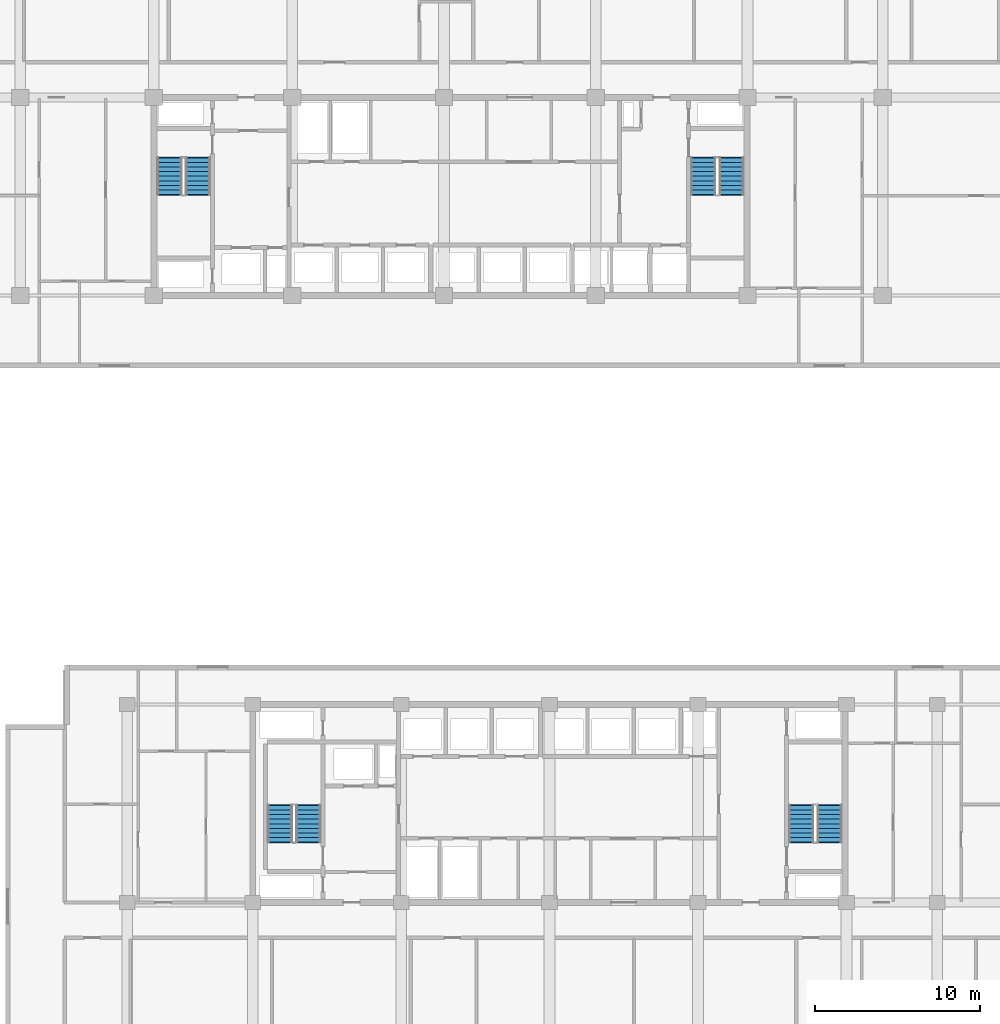
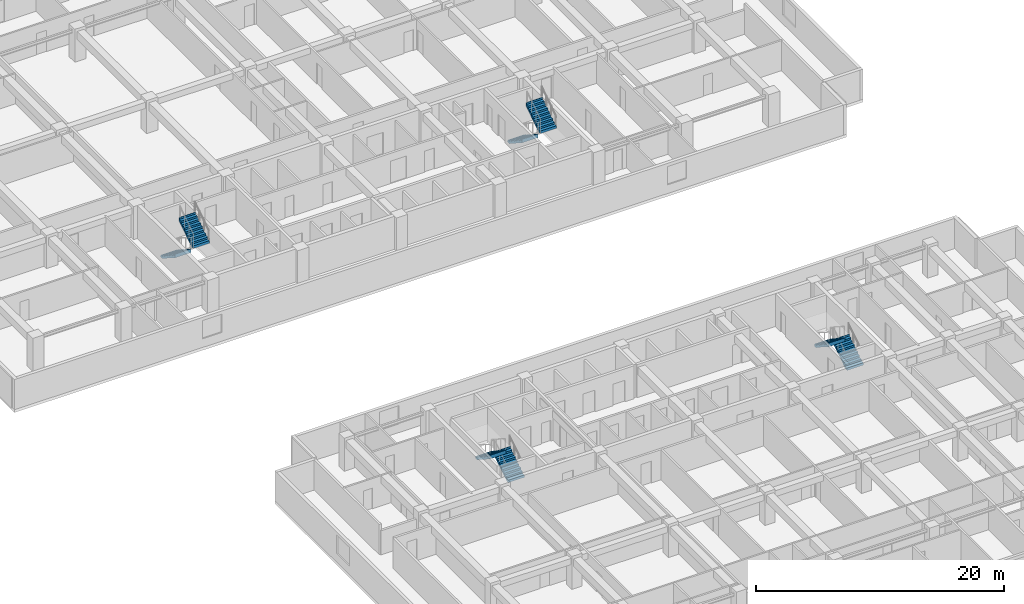
# One storey, part 18 of 23: 8 stair flights, 4 elements without a shape of their own.
"""IFC4 building model written with IfcOpenShell, lengths in metres."""

from ifc_helpers import new_model, si_unit, direction, frame, origin, place, context, subcontext, project, spatial, polyline, outline, extrude, material, type_object, element, aggregate, save


model = new_model("IFC4")

# Units and contexts
model_context = context("Model", 3, precision=1e-05, world=origin(), true_north=direction((0.0, 1.0)))
body_context = subcontext(model_context, "Body", "Model", "MODEL_VIEW")
ifc_project = project(units=[si_unit("LENGTHUNIT", "METRE"), si_unit("AREAUNIT", "SQUARE_METRE"), si_unit("VOLUMEUNIT", "CUBIC_METRE"), si_unit("PLANEANGLEUNIT", "RADIAN"), si_unit("MASSUNIT", "GRAM", prefix="KILO")], contexts=[model_context])

# Site, building, storey
site_placement = place(None, origin())
site = spatial("IfcSite", under=ifc_project, at=site_placement, CompositionType="ELEMENT")
building_placement = place(site_placement, origin())
building = spatial("IfcBuilding", under=site, at=building_placement, Name="Korimba Cascade Residences", CompositionType="ELEMENT")
storey_placement = place(building_placement, frame((0.0, 0.0, 56.5)))
storey = spatial("IfcBuildingStorey", under=building, at=storey_placement, Name="L15", CompositionType="ELEMENT", Elevation=56.5)

# Stair, stair flights
ifc_material = material(Name="Concrete C50/60", Category="concrete")
stair_type_1 = type_object("IfcStairType", Name="STR-W1-18R-1806", PredefinedType="HALF_TURN_STAIR", material=ifc_material)
stair_1_placement = place(storey_placement, origin())
stair_1 = element("IfcStair", 1, at=stair_1_placement, inside=storey, type_object=stair_type_1, Name="L15 Tower 1 West Fire Stair ST-W1", PredefinedType="HALF_TURN_STAIR")
stair_flight_type = type_object("IfcStairFlightType", Name="STF-DL-18R-1806-1520", PredefinedType="STRAIGHT", material=ifc_material)
stair_flight_1_placement = place(storey_placement, frame((77.06005859375, 63.550048828125, 0.0), z_axis=(0.0, 0.0, 1.0), x_axis=(0.0, -1.0, 0.0)))
stair_flight_1 = element("IfcStairFlight", 2, at=stair_flight_1_placement, type_object=stair_flight_type, Name="ST-W1 flight 1", NumberOfRisers=9, NumberOfTreads=8, PredefinedType="STRAIGHT", RiserHeight=0.180555556, TreadLength=0.28, context=body_context, shape_type="SweptSolid", body=[
    extrude(outline(polyline([(-0.0380859375, 0.0), (0.0, 0.1806640625), (0.280029296875, 0.1806640625), (0.280029296875, 0.361083984375), (0.56005859375, 0.361083984375), (0.56005859375, 0.541748046875), (0.840087890625, 0.541748046875), (0.840087890625, 0.72216796875), (1.1201171875, 0.72216796875), (1.1201171875, 0.90283203125), (1.39990234375, 0.90283203125), (1.39990234375, 1.083251953125), (1.679931640625, 1.083251953125), (1.679931640625, 1.263916015625), (1.9599609375, 1.263916015625), (1.9599609375, 1.4443359375), (2.239990234375, 1.4443359375), (2.239990234375, 1.625), (2.278076171875, 1.625), (2.278076171875, 1.26611328125), (0.276611328125, 0.0), (0.276611328125, -0.0380859375), (-0.0380859375, -0.0380859375), (-0.0380859375, 0.0)])), frame((0.0, 0.760009765625, 0.0), z_axis=(0.0, -1.0, 0.0), x_axis=(1.0, 0.0, 0.0)), (0.0, 0.0, 1.0), 1.52001953125),
])
stair_flight_2_placement = place(storey_placement, frame((78.780029296875, 61.31005859375, 1.625), z_axis=(0.0, 0.0, 1.0), x_axis=(0.0, 1.0, 0.0)))
stair_flight_2 = element("IfcStairFlight", 3, at=stair_flight_2_placement, type_object=stair_flight_type, Name="ST-W1 flight 2", NumberOfRisers=9, NumberOfTreads=8, PredefinedType="STRAIGHT", RiserHeight=0.180555556, TreadLength=0.28, context=body_context, shape_type="SweptSolid", body=[
    extrude(outline(polyline([(-0.0380859375, 0.0), (0.0, 0.1806640625), (0.280029296875, 0.1806640625), (0.280029296875, 0.361083984375), (0.56005859375, 0.361083984375), (0.56005859375, 0.541748046875), (0.840087890625, 0.541748046875), (0.840087890625, 0.72216796875), (1.1201171875, 0.72216796875), (1.1201171875, 0.90283203125), (1.39990234375, 0.90283203125), (1.39990234375, 1.083251953125), (1.679931640625, 1.083251953125), (1.679931640625, 1.263916015625), (1.9599609375, 1.263916015625), (1.9599609375, 1.4443359375), (2.239990234375, 1.4443359375), (2.239990234375, 1.625), (2.278076171875, 1.625), (2.278076171875, 1.26611328125), (0.276611328125, 0.0), (0.276611328125, -0.0380859375), (-0.0380859375, -0.0380859375), (-0.0380859375, 0.0)])), frame((0.0, 0.760009765625, 0.0), z_axis=(0.0, -1.0, 0.0), x_axis=(1.0, 0.0, 0.0)), (0.0, 0.0, 1.0), 1.52001953125),
])
aggregate(stair_1, [stair_flight_1, stair_flight_2])

stair_type_2 = type_object("IfcStairType", Name="STR-W2-18R-1806", PredefinedType="HALF_TURN_STAIR", material=ifc_material)
stair_2_placement = place(storey_placement, origin())
stair_2 = element("IfcStair", 4, at=stair_2_placement, inside=storey, type_object=stair_type_2, Name="L15 Tower 1 East Fire Stair ST-W2", PredefinedType="HALF_TURN_STAIR")
stair_flight_3_placement = place(storey_placement, frame((109.419921875, 63.550048828125, 0.0), z_axis=(0.0, 0.0, 1.0), x_axis=(0.0, -1.0, 0.0)))
stair_flight_3 = element("IfcStairFlight", 5, at=stair_flight_3_placement, type_object=stair_flight_type, Name="ST-W2 flight 1", NumberOfRisers=9, NumberOfTreads=8, PredefinedType="STRAIGHT", RiserHeight=0.180555556, TreadLength=0.28, context=body_context, shape_type="SweptSolid", body=[
    extrude(outline(polyline([(-0.0380859375, 0.0), (0.0, 0.1806640625), (0.280029296875, 0.1806640625), (0.280029296875, 0.361083984375), (0.56005859375, 0.361083984375), (0.56005859375, 0.541748046875), (0.840087890625, 0.541748046875), (0.840087890625, 0.72216796875), (1.1201171875, 0.72216796875), (1.1201171875, 0.90283203125), (1.39990234375, 0.90283203125), (1.39990234375, 1.083251953125), (1.679931640625, 1.083251953125), (1.679931640625, 1.263916015625), (1.9599609375, 1.263916015625), (1.9599609375, 1.4443359375), (2.239990234375, 1.4443359375), (2.239990234375, 1.625), (2.278076171875, 1.625), (2.278076171875, 1.26611328125), (0.276611328125, 0.0), (0.276611328125, -0.0380859375), (-0.0380859375, -0.0380859375), (-0.0380859375, 0.0)])), frame((0.0, 0.760009765625, 0.0), z_axis=(0.0, -1.0, 0.0), x_axis=(1.0, 0.0, 0.0)), (0.0, 0.0, 1.0), 1.52001953125),
])
stair_flight_4_placement = place(storey_placement, frame((111.139892578125, 61.31005859375, 1.625), z_axis=(0.0, 0.0, 1.0), x_axis=(0.0, 1.0, 0.0)))
stair_flight_4 = element("IfcStairFlight", 6, at=stair_flight_4_placement, type_object=stair_flight_type, Name="ST-W2 flight 2", NumberOfRisers=9, NumberOfTreads=8, PredefinedType="STRAIGHT", RiserHeight=0.180555556, TreadLength=0.28, context=body_context, shape_type="SweptSolid", body=[
    extrude(outline(polyline([(-0.0380859375, 0.0), (0.0, 0.1806640625), (0.280029296875, 0.1806640625), (0.280029296875, 0.361083984375), (0.56005859375, 0.361083984375), (0.56005859375, 0.541748046875), (0.840087890625, 0.541748046875), (0.840087890625, 0.72216796875), (1.1201171875, 0.72216796875), (1.1201171875, 0.90283203125), (1.39990234375, 0.90283203125), (1.39990234375, 1.083251953125), (1.679931640625, 1.083251953125), (1.679931640625, 1.263916015625), (1.9599609375, 1.263916015625), (1.9599609375, 1.4443359375), (2.239990234375, 1.4443359375), (2.239990234375, 1.625), (2.278076171875, 1.625), (2.278076171875, 1.26611328125), (0.276611328125, 0.0), (0.276611328125, -0.0380859375), (-0.0380859375, -0.0380859375), (-0.0380859375, 0.0)])), frame((0.0, 0.760009765625, 0.0), z_axis=(0.0, -1.0, 0.0), x_axis=(1.0, 0.0, 0.0)), (0.0, 0.0, 1.0), 1.52001953125),
])
aggregate(stair_2, [stair_flight_3, stair_flight_4])

stair_type_3 = type_object("IfcStairType", Name="STR-E1-18R-1806", PredefinedType="HALF_TURN_STAIR", material=ifc_material)
stair_3_placement = place(storey_placement, origin())
stair_3 = element("IfcStair", 7, at=stair_3_placement, inside=storey, type_object=stair_type_3, Name="L15 Tower 2 West Fire Stair ST-E1", PredefinedType="HALF_TURN_STAIR")
stair_flight_5_placement = place(storey_placement, frame((85.47998046875, 22.050048828125, 0.0), z_axis=(0.0, 0.0, 1.0), x_axis=(0.0, 1.0, 0.0)))
stair_flight_5 = element("IfcStairFlight", 8, at=stair_flight_5_placement, type_object=stair_flight_type, Name="ST-E1 flight 1", NumberOfRisers=9, NumberOfTreads=8, PredefinedType="STRAIGHT", RiserHeight=0.180555556, TreadLength=0.28, context=body_context, shape_type="SweptSolid", body=[
    extrude(outline(polyline([(-0.0380859375, 0.0), (0.0, 0.1806640625), (0.280029296875, 0.1806640625), (0.280029296875, 0.361083984375), (0.56005859375, 0.361083984375), (0.56005859375, 0.541748046875), (0.840087890625, 0.541748046875), (0.840087890625, 0.72216796875), (1.1201171875, 0.72216796875), (1.1201171875, 0.90283203125), (1.39990234375, 0.90283203125), (1.39990234375, 1.083251953125), (1.679931640625, 1.083251953125), (1.679931640625, 1.263916015625), (1.9599609375, 1.263916015625), (1.9599609375, 1.4443359375), (2.239990234375, 1.4443359375), (2.239990234375, 1.625), (2.278076171875, 1.625), (2.278076171875, 1.26611328125), (0.276611328125, 0.0), (0.276611328125, -0.0380859375), (-0.0380859375, -0.0380859375), (-0.0380859375, 0.0)])), frame((0.0, 0.760009765625, 0.0), z_axis=(0.0, -1.0, 0.0), x_axis=(1.0, 0.0, 0.0)), (0.0, 0.0, 1.0), 1.52001953125),
])
stair_flight_6_placement = place(storey_placement, frame((83.760009765625, 24.2900390625, 1.625), z_axis=(0.0, 0.0, 1.0), x_axis=(0.0, -1.0, 0.0)))
stair_flight_6 = element("IfcStairFlight", 9, at=stair_flight_6_placement, type_object=stair_flight_type, Name="ST-E1 flight 2", NumberOfRisers=9, NumberOfTreads=8, PredefinedType="STRAIGHT", RiserHeight=0.180555556, TreadLength=0.28, context=body_context, shape_type="SweptSolid", body=[
    extrude(outline(polyline([(-0.0380859375, 0.0), (0.0, 0.1806640625), (0.280029296875, 0.1806640625), (0.280029296875, 0.361083984375), (0.56005859375, 0.361083984375), (0.56005859375, 0.541748046875), (0.840087890625, 0.541748046875), (0.840087890625, 0.72216796875), (1.1201171875, 0.72216796875), (1.1201171875, 0.90283203125), (1.39990234375, 0.90283203125), (1.39990234375, 1.083251953125), (1.679931640625, 1.083251953125), (1.679931640625, 1.263916015625), (1.9599609375, 1.263916015625), (1.9599609375, 1.4443359375), (2.239990234375, 1.4443359375), (2.239990234375, 1.625), (2.278076171875, 1.625), (2.278076171875, 1.26611328125), (0.276611328125, 0.0), (0.276611328125, -0.0380859375), (-0.0380859375, -0.0380859375), (-0.0380859375, 0.0)])), frame((0.0, 0.760009765625, 0.0), z_axis=(0.0, -1.0, 0.0), x_axis=(1.0, 0.0, 0.0)), (0.0, 0.0, 1.0), 1.52001953125),
])
aggregate(stair_3, [stair_flight_5, stair_flight_6])

stair_type_4 = type_object("IfcStairType", Name="STR-E2-18R-1806", PredefinedType="HALF_TURN_STAIR", material=ifc_material)
stair_4_placement = place(storey_placement, origin())
stair_4 = element("IfcStair", 10, at=stair_4_placement, inside=storey, type_object=stair_type_4, Name="L15 Tower 2 East Fire Stair ST-E2", PredefinedType="HALF_TURN_STAIR")
stair_flight_7_placement = place(storey_placement, frame((117.080078125, 22.050048828125, 0.0), z_axis=(0.0, 0.0, 1.0), x_axis=(0.0, 1.0, 0.0)))
stair_flight_7 = element("IfcStairFlight", 11, at=stair_flight_7_placement, type_object=stair_flight_type, Name="ST-E2 flight 1", NumberOfRisers=9, NumberOfTreads=8, PredefinedType="STRAIGHT", RiserHeight=0.180555556, TreadLength=0.28, context=body_context, shape_type="SweptSolid", body=[
    extrude(outline(polyline([(-0.0380859375, 0.0), (0.0, 0.1806640625), (0.280029296875, 0.1806640625), (0.280029296875, 0.361083984375), (0.56005859375, 0.361083984375), (0.56005859375, 0.541748046875), (0.840087890625, 0.541748046875), (0.840087890625, 0.72216796875), (1.1201171875, 0.72216796875), (1.1201171875, 0.90283203125), (1.39990234375, 0.90283203125), (1.39990234375, 1.083251953125), (1.679931640625, 1.083251953125), (1.679931640625, 1.263916015625), (1.9599609375, 1.263916015625), (1.9599609375, 1.4443359375), (2.239990234375, 1.4443359375), (2.239990234375, 1.625), (2.278076171875, 1.625), (2.278076171875, 1.26611328125), (0.276611328125, 0.0), (0.276611328125, -0.0380859375), (-0.0380859375, -0.0380859375), (-0.0380859375, 0.0)])), frame((0.0, 0.760009765625, 0.0), z_axis=(0.0, -1.0, 0.0), x_axis=(1.0, 0.0, 0.0)), (0.0, 0.0, 1.0), 1.52001953125),
])
stair_flight_8_placement = place(storey_placement, frame((115.360107421875, 24.2900390625, 1.625), z_axis=(0.0, 0.0, 1.0), x_axis=(0.0, -1.0, 0.0)))
stair_flight_8 = element("IfcStairFlight", 12, at=stair_flight_8_placement, type_object=stair_flight_type, Name="ST-E2 flight 2", NumberOfRisers=9, NumberOfTreads=8, PredefinedType="STRAIGHT", RiserHeight=0.180555556, TreadLength=0.28, context=body_context, shape_type="SweptSolid", body=[
    extrude(outline(polyline([(-0.0380859375, 0.0), (0.0, 0.1806640625), (0.280029296875, 0.1806640625), (0.280029296875, 0.361083984375), (0.56005859375, 0.361083984375), (0.56005859375, 0.541748046875), (0.840087890625, 0.541748046875), (0.840087890625, 0.72216796875), (1.1201171875, 0.72216796875), (1.1201171875, 0.90283203125), (1.39990234375, 0.90283203125), (1.39990234375, 1.083251953125), (1.679931640625, 1.083251953125), (1.679931640625, 1.263916015625), (1.9599609375, 1.263916015625), (1.9599609375, 1.4443359375), (2.239990234375, 1.4443359375), (2.239990234375, 1.625), (2.278076171875, 1.625), (2.278076171875, 1.26611328125), (0.276611328125, 0.0), (0.276611328125, -0.0380859375), (-0.0380859375, -0.0380859375), (-0.0380859375, 0.0)])), frame((0.0, 0.760009765625, 0.0), z_axis=(0.0, -1.0, 0.0), x_axis=(1.0, 0.0, 0.0)), (0.0, 0.0, 1.0), 1.52001953125),
])
aggregate(stair_4, [stair_flight_7, stair_flight_8])

save(model, "model.ifc")
